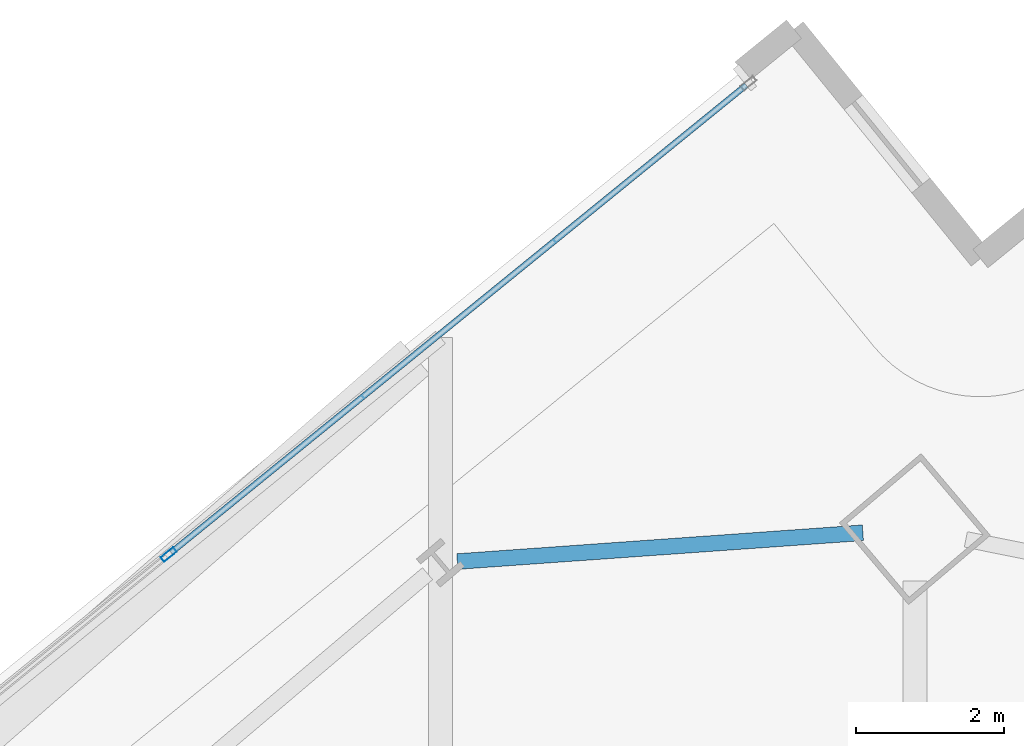
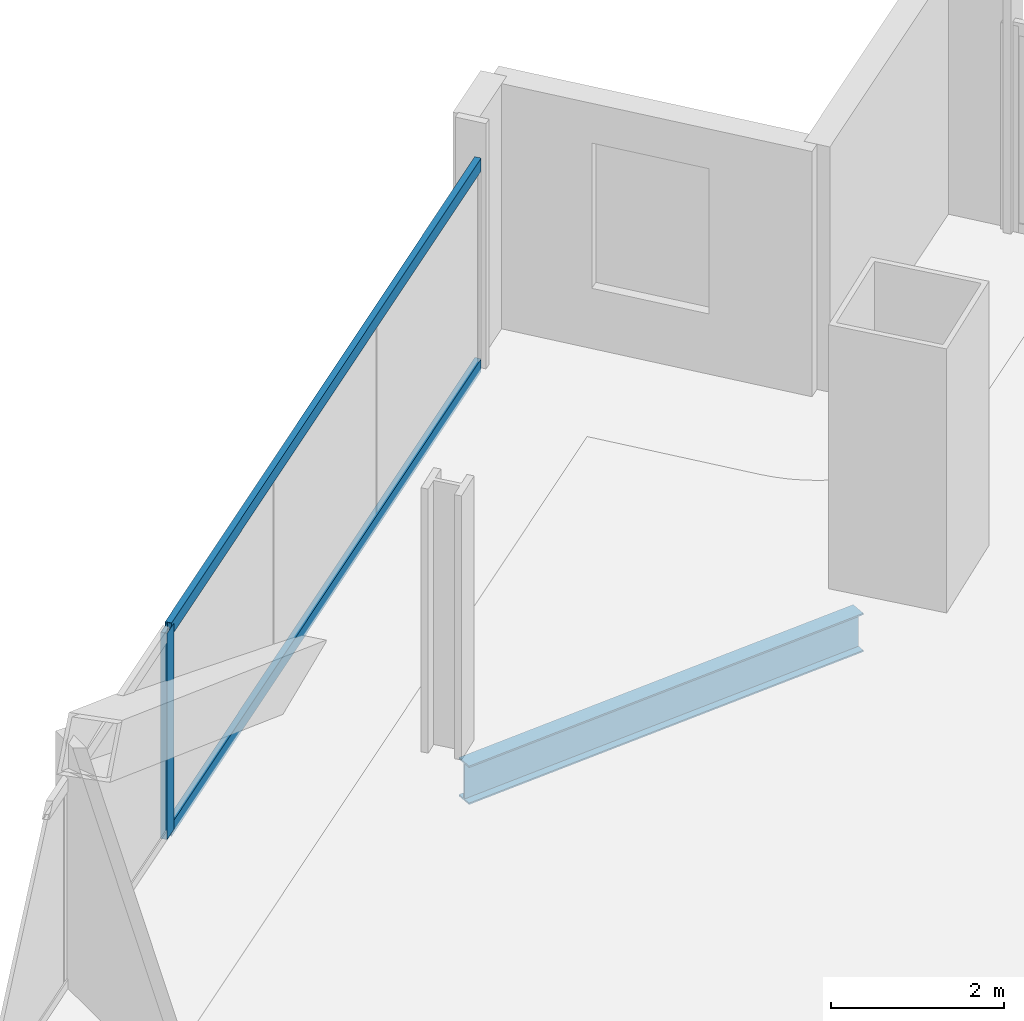
# One storey, part 18 of 36: 3 members, 1 beam, 1 element without a shape of its own.
"""IFC4 building model written with IfcOpenShell, lengths in metres."""

from ifc_helpers import new_model, si_unit, direction, frame, origin, origin_2d, place, context, subcontext, project, spatial, hollow_rectangle, i_section, extrude, material, material_profile, profile_set, type_object, element, aggregate, save


model = new_model("IFC4")

# Units and contexts
model_context = context("Model", 3, precision=1e-05, world=origin(), true_north=direction((0.0, 1.0)))
body_context = subcontext(model_context, "Body", "Model", "MODEL_VIEW")
ifc_project = project(units=[si_unit("LENGTHUNIT", "METRE"), si_unit("AREAUNIT", "SQUARE_METRE"), si_unit("VOLUMEUNIT", "CUBIC_METRE"), si_unit("PLANEANGLEUNIT", "RADIAN"), si_unit("MASSUNIT", "GRAM", prefix="KILO")], contexts=[model_context])

# Site, building, storey
site_placement = place(None, origin())
site = spatial("IfcSite", under=ifc_project, at=site_placement, CompositionType="ELEMENT")
building_placement = place(site_placement, origin())
building = spatial("IfcBuilding", under=site, at=building_placement, Name="Haldenkirk Collegiate Tower", CompositionType="ELEMENT")
storey_placement = place(building_placement, frame((0.0, 0.0, 159.449951171875)))
storey = spatial("IfcBuildingStorey", under=building, at=storey_placement, Name="L39", CompositionType="ELEMENT", Elevation=159.449951171875)

# Beam
ifc_material_1 = material(Name="Steel ASTM A992 Grade 50", Category="steel")
ifc_material_profile_1 = material_profile(ifc_material_1, i_section(OverallWidth=0.2119140625, OverallDepth=0.5439453125, WebThickness=0.01318359375, FlangeThickness=0.021240234375, at=origin_2d()), Name="W21X83")
ifc_profile_set_1 = profile_set([ifc_material_profile_1], Name="Steel ASTM A992 Grade 50")
beam_type = type_object("IfcBeamType", Name="BM-SPANDREL-W21X83", PredefinedType="SPANDREL", material=ifc_profile_set_1)
beam_placement = place(storey_placement, frame((38.373779296875, 51.025146484375, -0.56201171875), z_axis=(-0.997489017738, -0.070821320891, 0.0), x_axis=(0.070821320891, -0.997489017738, 0.0)))
element("IfcBeam", 1, at=beam_placement, inside=storey, type_object=beam_type, Name="L39 perimeter spandrel beam 09", PredefinedType="SPANDREL", context=body_context, shape_type="SweptSolid", body=[
    extrude(i_section(OverallWidth=0.2119140625, OverallDepth=0.5439453125, WebThickness=0.01318359375, FlangeThickness=0.021240234375, at=origin_2d()), origin(), (0.0, 0.0, 1.0), 5.501953125),
])

# Curtain wall, members
ifc_material_2 = material(Name="Anodised architectural bronze aluminium", Category="aluminium")
curtain_wall_type = type_object("IfcCurtainWallType", Name="CW-SYS1-CONVEX-LOW", PredefinedType="USERDEFINED", material=ifc_material_2)
curtain_wall_placement = place(storey_placement, origin())
curtain_wall = element("IfcCurtainWall", 2, at=curtain_wall_placement, inside=storey, type_object=curtain_wall_type, Name="L39 Lower tower convex bronze-framed unitised curtain wall", ObjectType="UNITISED CURTAIN WALL", PredefinedType="USERDEFINED")
ifc_material_profile_2 = material_profile(ifc_material_2, hollow_rectangle(XDim=0.080078125, YDim=0.219970703125, WallThickness=0.0048828125, at=origin_2d()), Name="CW-MUL-1A")
ifc_profile_set_2 = profile_set([ifc_material_profile_2], Name="Anodised architectural bronze aluminium")
member_type_1 = type_object("IfcMemberType", Name="CW-MUL-1A", PredefinedType="MULLION", material=ifc_profile_set_2)
member_1_placement = place(storey_placement, frame((28.980224609375, 50.7314453125, 0.0), z_axis=(0.0, 0.0, 1.0), x_axis=(-0.630673850131, 0.776047997717, 0.0)))
member_1 = element("IfcMember", 3, at=member_1_placement, type_object=member_type_1, Name="CW-1A mullion 4", PredefinedType="MULLION", context=body_context, shape_type="SweptSolid", body=[
    extrude(hollow_rectangle(XDim=0.080078125, YDim=0.219970703125, WallThickness=0.0048828125, at=origin_2d()), origin(), (0.0, 0.0, 1.0), 2.9111328125),
])
ifc_material_profile_3 = material_profile(ifc_material_2, hollow_rectangle(XDim=0.080078125, YDim=0.179931640625, WallThickness=0.0048828125, at=origin_2d()), Name="CW-TRN-1A")
ifc_profile_set_3 = profile_set([ifc_material_profile_3], Name="Anodised architectural bronze aluminium")
member_type_2 = type_object("IfcMemberType", Name="CW-TRN-1A", PredefinedType="USERDEFINED", material=ifc_profile_set_3)
member_2_placement = place(storey_placement, frame((29.01123046875, 50.7568359375, 0.0400390625), z_axis=(0.776053688969, 0.630666846946, 0.0), x_axis=(-0.630666846946, 0.776053688969, 0.0)))
member_2 = element("IfcMember", 4, at=member_2_placement, type_object=member_type_2, Name="CW-1A transom 4.1", ObjectType="TRANSOM", PredefinedType="USERDEFINED", context=body_context, shape_type="SweptSolid", body=[
    extrude(hollow_rectangle(XDim=0.080078125, YDim=0.179931640625, WallThickness=0.0048828125, at=origin_2d()), origin(), (0.0, 0.0, 1.0), 10.030029296875),
])
member_3_placement = place(storey_placement, frame((29.01123046875, 50.7568359375, 2.87109375), z_axis=(0.776053688969, 0.630666846946, 0.0), x_axis=(-0.630666846946, 0.776053688969, 0.0)))
member_3 = element("IfcMember", 5, at=member_3_placement, type_object=member_type_2, Name="CW-1A transom 4.2", ObjectType="TRANSOM", PredefinedType="USERDEFINED", context=body_context, shape_type="SweptSolid", body=[
    extrude(hollow_rectangle(XDim=0.080078125, YDim=0.179931640625, WallThickness=0.0048828125, at=origin_2d()), origin(), (0.0, 0.0, 1.0), 10.030029296875),
])
aggregate(curtain_wall, [member_1, member_2, member_3])

save(model, "model.ifc")
